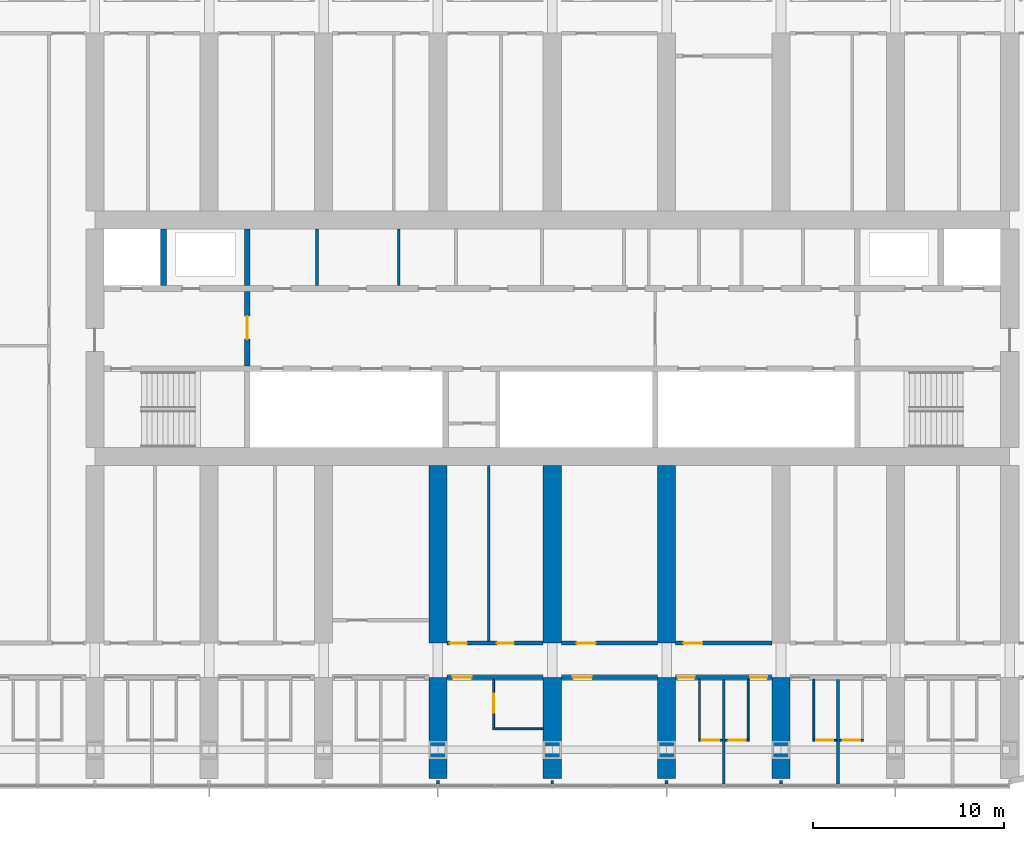
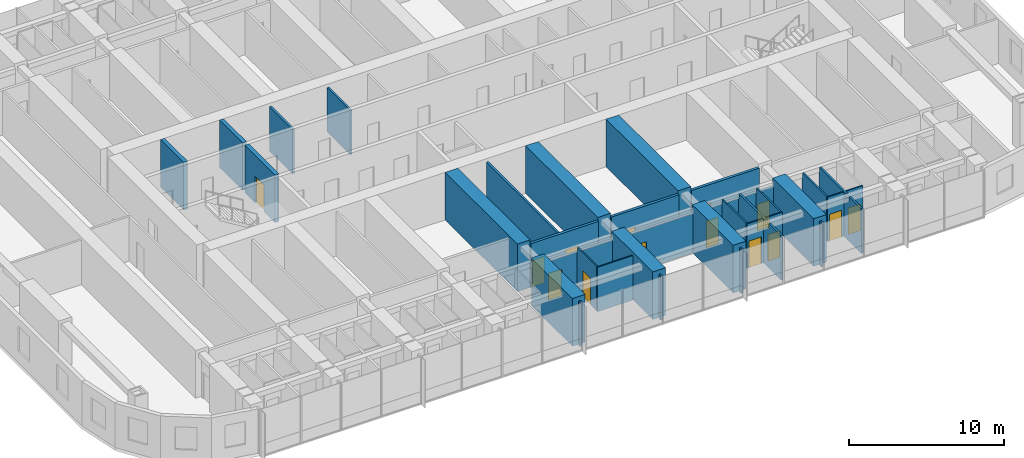
# One storey, part 10 of 22: 34 walls, 14 doors, 14 openings.
"""IFC4 building model written with IfcOpenShell, lengths in metres."""

from ifc_helpers import new_model, si_unit, direction, frame, frame_2d, origin, place, context, subcontext, project, spatial, polyline, rectangle, outline, extrude, material, layer, layer_set, type_object, element, fill, save


model = new_model("IFC4")

# Units and contexts
model_context = context("Model", 3, precision=1e-05, world=origin(), true_north=direction((0.0, 1.0)))
body_context = subcontext(model_context, "Body", "Model", "MODEL_VIEW")
ifc_project = project(units=[si_unit("LENGTHUNIT", "METRE"), si_unit("AREAUNIT", "SQUARE_METRE"), si_unit("VOLUMEUNIT", "CUBIC_METRE"), si_unit("PLANEANGLEUNIT", "RADIAN"), si_unit("MASSUNIT", "GRAM", prefix="KILO")], contexts=[model_context])

# Site, building, storey
site_placement = place(None, origin())
site = spatial("IfcSite", under=ifc_project, at=site_placement, CompositionType="ELEMENT")
building_placement = place(site_placement, origin())
building = spatial("IfcBuilding", under=site, at=building_placement, Name="Orbita Commons", CompositionType="ELEMENT")
storey_placement = place(building_placement, frame((0.0, 0.0, 121.89990234375)))
storey = spatial("IfcBuildingStorey", under=building, at=storey_placement, Name="L30", CompositionType="ELEMENT", Elevation=121.89990234375)

# Wall, opening, door
ifc_material_1 = material(Name="Concrete C50/60", Category="concrete")
ifc_layer_1 = layer(ifc_material_1, 0.300048828125)
ifc_layer_set_1 = layer_set([ifc_layer_1], Name="Concrete C50/60")
wall_type_1 = type_object("IfcWallType", Name="Core inner wall 300 C50/60", PredefinedType="SHEAR", material=ifc_layer_set_1)
wall_1_placement = place(storey_placement, frame((26.0, 30.550048828125, 0.0), z_axis=(0.0, 0.0, 1.0), x_axis=(0.0, 1.0, 0.0)))
wall_1 = element("IfcWall", 1, at=wall_1_placement, inside=storey, type_object=wall_type_1, Name="Firefighting lobby wall west L30", PredefinedType="SHEAR", context=body_context, shape_type="SweptSolid", body=[
    extrude(rectangle(XDim=3.89990234375, YDim=0.300048828125, at=frame_2d((1.949951171875, 0.0))), origin(), (0.0, 0.0, 1.0), 3.75),
])
opening_1_placement = place(wall_1_placement, frame((1.39990234375, 0.0, 0.0)))
opening_1 = element("IfcOpeningElement", 2, at=opening_1_placement, cuts=wall_1, Name="Opening D04", PredefinedType="OPENING", context=body_context, shape_type="SweptSolid", body=[
    extrude(rectangle(XDim=1.199951171875, YDim=2.10009765625, at=frame_2d((0.60009765625, 1.050048828125))), frame((0.0, 0.159912109375, 0.0), z_axis=(0.0, -1.0, 0.0), x_axis=(1.0, 0.0, 0.0)), (0.0, 0.0, 1.0), 0.320068359375),
])
ifc_material_2 = material(Name="Steel-faced fire door leaf", Category="steel")
door_type_1 = type_object("IfcDoorType", Name="Service door 20 min 1200x2100", OperationType="SINGLE_SWING_LEFT", PredefinedType="DOOR", material=ifc_material_2)
door_1_placement = place(opening_1_placement, origin())
door_1 = element("IfcDoor", 3, at=door_1_placement, inside=storey, type_object=door_type_1, Name="Lift lobby door west", OperationType="SINGLE_SWING_LEFT", OverallHeight=2.10009765625, OverallWidth=1.199951171875, PredefinedType="DOOR", context=body_context, shape_type="SweptSolid", body=[
    extrude(rectangle(XDim=1.199951171875, YDim=2.10009765625, at=frame_2d((0.60009765625, 1.050048828125))), frame((0.0, 0.02490234375, 0.0), z_axis=(0.0, -1.0, 0.0), x_axis=(1.0, 0.0, 0.0)), (0.0, 0.0, 1.0), 0.050048828125),
])
fill(opening_1, door_1)

# Walls
for number, where, z_axis, x_axis, name in (
    (4, (21.60009765625, 34.75, 0.0), (0.0, 0.0, 1.0), (0.0, 1.0, 0.0), "Firefighting lift FL1 shaft wall L30"),
    (5, (26.0, 34.75, 0.0), (0.0, 0.0, 1.0), (0.0, 1.0, 0.0), "Riser wall west L30"),
):
    element("IfcWall", number, at=place(storey_placement, frame(where, z_axis=z_axis, x_axis=x_axis)), inside=storey, type_object=wall_type_1, Name=name, PredefinedType="SHEAR", context=body_context, shape_type="SweptSolid", body=[
        extrude(rectangle(XDim=2.97509765625, YDim=0.300048828125, at=frame_2d((1.487548828125, 0.0))), origin(), (0.0, 0.0, 1.0), 3.75),
    ])
ifc_material_3 = material(Name="Concrete blockwork", Category="masonry")
ifc_layer_2 = layer(ifc_material_3, 0.14990234375)
ifc_layer_set_2 = layer_set([ifc_layer_2], Name="Concrete blockwork")
wall_type_2 = type_object("IfcWallType", Name="Core partition 150 blockwork", PredefinedType="SOLIDWALL", material=ifc_layer_set_2)
for number, where, z_axis, x_axis, name in (
    (6, (29.65087890625, 34.75, 0.0), (0.0, 0.0, 1.0), (0.0, 1.0, 0.0), "Core partition 150 blockwork L30"),
    (7, (33.9462890625, 34.75, 0.0), (0.0, 0.0, 1.0), (0.0, 1.0, 0.0), "Core partition 150 blockwork L30"),
):
    element("IfcWall", number, at=place(storey_placement, frame(where, z_axis=z_axis, x_axis=x_axis)), inside=storey, type_object=wall_type_2, Name=name, PredefinedType="SOLIDWALL", context=body_context, shape_type="SweptSolid", body=[
        extrude(rectangle(XDim=2.97509765625, YDim=0.14990234375, at=frame_2d((1.487548828125, 0.0))), origin(), (0.0, 0.0, 1.0), 3.5),
    ])

# Wall, opening, door
ifc_material_4 = material(Name="Concrete blockwork", Category="masonry")
ifc_layer_3 = layer(ifc_material_4, 0.199951171875)
ifc_layer_set_3 = layer_set([ifc_layer_3], Name="Concrete blockwork")
wall_type_3 = type_object("IfcWallType", Name="Corridor wall 200 blockwork", PredefinedType="SOLIDWALL", material=ifc_layer_set_3)
wall_2_placement = place(storey_placement, frame((36.47509765625, 14.199951171875, 0.0), z_axis=(0.0, 0.0, 1.0), x_axis=(1.0, 0.0, 0.0)))
wall_2 = element("IfcWall", 8, at=wall_2_placement, inside=storey, type_object=wall_type_3, Name="Corridor wall 200 blockwork L30", PredefinedType="SOLIDWALL", context=body_context, shape_type="SweptSolid", body=[
    extrude(outline(polyline([(0.0, 0.0), (5.0498046875, 0.0), (5.050048828125, 3.10009765625), (0.0, 3.10009765625), (0.0, 0.0)])), frame((0.0, 0.10009765625, 0.0), z_axis=(0.0, -1.0, 0.0), x_axis=(1.0, 0.0, 0.0)), (0.0, 0.0, 1.0), 0.199951171875),
])
opening_2_placement = place(wall_2_placement, frame((0.300048828125, 0.0, 0.0)))
opening_2 = element("IfcOpeningElement", 9, at=opening_2_placement, cuts=wall_2, Name="Opening D06", PredefinedType="OPENING", context=body_context, shape_type="SweptSolid", body=[
    extrude(rectangle(XDim=1.0, YDim=2.10009765625, at=frame_2d((0.5, 1.050048828125))), frame((0.0, 0.10986328125, 0.0), z_axis=(0.0, -1.0, 0.0), x_axis=(1.0, 0.0, 0.0)), (0.0, 0.0, 1.0), 0.219970703125),
])
ifc_material_5 = material(Name="Steel-faced fire door leaf", Category="steel")
door_type_2 = type_object("IfcDoorType", Name="Corridor door 20 min 1000x2100", OperationType="SINGLE_SWING_LEFT", PredefinedType="DOOR", material=ifc_material_5)
door_2_placement = place(opening_2_placement, origin())
door_2 = element("IfcDoor", 10, at=door_2_placement, inside=storey, type_object=door_type_2, Name="Accessible bedroom L30-S08 door", OperationType="SINGLE_SWING_LEFT", OverallHeight=2.10009765625, OverallWidth=1.0, PredefinedType="DOOR", context=body_context, shape_type="SweptSolid", body=[
    extrude(rectangle(XDim=1.0, YDim=2.10009765625, at=frame_2d((0.5, 1.050048828125))), frame((0.0, 0.02490234375, 0.0), z_axis=(0.0, -1.0, 0.0), x_axis=(1.0, 0.0, 0.0)), (0.0, 0.0, 1.0), 0.050048828125),
])
fill(opening_2, door_2)

wall_3_placement = place(storey_placement, frame((42.47509765625, 14.199951171875, 0.0), z_axis=(0.0, 0.0, 1.0), x_axis=(1.0, 0.0, 0.0)))
wall_3 = element("IfcWall", 11, at=wall_3_placement, inside=storey, type_object=wall_type_3, Name="Corridor wall 200 blockwork L30", PredefinedType="SOLIDWALL", context=body_context, shape_type="SweptSolid", body=[
    extrude(outline(polyline([(0.0, 0.0), (5.0498046875, 0.0), (5.050048828125, 3.10009765625), (0.0, 3.10009765625), (0.0, 0.0)])), frame((0.0, 0.10009765625, 0.0), z_axis=(0.0, -1.0, 0.0), x_axis=(1.0, 0.0, 0.0)), (0.0, 0.0, 1.0), 0.199951171875),
])
opening_3_placement = place(wall_3_placement, frame((0.60009765625, 0.0, 0.0)))
opening_3 = element("IfcOpeningElement", 12, at=opening_3_placement, cuts=wall_3, Name="Opening D06", PredefinedType="OPENING", context=body_context, shape_type="SweptSolid", body=[
    extrude(rectangle(XDim=1.0, YDim=2.10009765625, at=frame_2d((0.5, 1.050048828125))), frame((0.0, 0.10986328125, 0.0), z_axis=(0.0, -1.0, 0.0), x_axis=(1.0, 0.0, 0.0)), (0.0, 0.0, 1.0), 0.219970703125),
])
door_3_placement = place(opening_3_placement, origin())
door_3 = element("IfcDoor", 13, at=door_3_placement, inside=storey, type_object=door_type_2, Name="Cluster kitchen-diner L30-S10 door", OperationType="SINGLE_SWING_LEFT", OverallHeight=2.10009765625, OverallWidth=1.0, PredefinedType="DOOR", context=body_context, shape_type="SweptSolid", body=[
    extrude(rectangle(XDim=1.0, YDim=2.10009765625, at=frame_2d((0.5, 1.050048828125))), frame((0.0, 0.02490234375, 0.0), z_axis=(0.0, -1.0, 0.0), x_axis=(1.0, 0.0, 0.0)), (0.0, 0.0, 1.0), 0.050048828125),
])
fill(opening_3, door_3)

# Wall, openings, doors
wall_4_placement = place(storey_placement, frame((48.47509765625, 14.199951171875, 0.0), z_axis=(0.0, 0.0, 1.0), x_axis=(1.0, 0.0, 0.0)))
wall_4 = element("IfcWall", 14, at=wall_4_placement, inside=storey, type_object=wall_type_3, Name="Corridor wall 200 blockwork L30", PredefinedType="SOLIDWALL", context=body_context, shape_type="SweptSolid", body=[
    extrude(outline(polyline([(0.0, 0.0), (5.0498046875, 0.0), (5.050048828125, 3.10009765625), (0.0, 3.10009765625), (0.0, 0.0)])), frame((0.0, 0.10009765625, 0.0), z_axis=(0.0, -1.0, 0.0), x_axis=(1.0, 0.0, 0.0)), (0.0, 0.0, 1.0), 0.199951171875),
])
opening_4_placement = place(wall_4_placement, frame((0.10009765625, 0.0, 0.0)))
opening_4 = element("IfcOpeningElement", 15, at=opening_4_placement, cuts=wall_4, Name="Opening D11", PredefinedType="OPENING", context=body_context, shape_type="SweptSolid", body=[
    extrude(rectangle(XDim=0.89990234375, YDim=2.10009765625, at=frame_2d((0.449951171875, 1.050048828125))), frame((0.0, 0.10986328125, 0.0), z_axis=(0.0, -1.0, 0.0), x_axis=(1.0, 0.0, 0.0)), (0.0, 0.0, 1.0), 0.219970703125),
])
opening_5_placement = place(wall_4_placement, frame((3.89990234375, 0.0, 0.0)))
opening_5 = element("IfcOpeningElement", 16, at=opening_5_placement, cuts=wall_4, Name="Opening D11", PredefinedType="OPENING", context=body_context, shape_type="SweptSolid", body=[
    extrude(rectangle(XDim=0.89990234375, YDim=2.10009765625, at=frame_2d((0.449951171875, 1.050048828125))), frame((0.0, 0.10986328125, 0.0), z_axis=(0.0, -1.0, 0.0), x_axis=(1.0, 0.0, 0.0)), (0.0, 0.0, 1.0), 0.219970703125),
])
ifc_material_6 = material(Name="Steel-faced fire door leaf", Category="steel")
door_type_3 = type_object("IfcDoorType", Name="Corridor door 20 min 900x2100", OperationType="SINGLE_SWING_LEFT", PredefinedType="DOOR", material=ifc_material_6)
door_4_placement = place(opening_4_placement, origin())
door_4 = element("IfcDoor", 17, at=door_4_placement, inside=storey, type_object=door_type_3, Name="Cluster bedroom L30-S12 door", OperationType="SINGLE_SWING_LEFT", OverallHeight=2.10009765625, OverallWidth=0.89990234375, PredefinedType="DOOR", context=body_context, shape_type="SweptSolid", body=[
    extrude(rectangle(XDim=0.89990234375, YDim=2.10009765625, at=frame_2d((0.449951171875, 1.050048828125))), frame((0.0, 0.02490234375, 0.0), z_axis=(0.0, -1.0, 0.0), x_axis=(1.0, 0.0, 0.0)), (0.0, 0.0, 1.0), 0.050048828125),
])
fill(opening_4, door_4)
door_5_placement = place(opening_5_placement, origin())
door_5 = element("IfcDoor", 18, at=door_5_placement, inside=storey, type_object=door_type_3, Name="Cluster bedroom L30-S13 door", OperationType="SINGLE_SWING_LEFT", OverallHeight=2.10009765625, OverallWidth=0.89990234375, PredefinedType="DOOR", context=body_context, shape_type="SweptSolid", body=[
    extrude(rectangle(XDim=0.89990234375, YDim=2.10009765625, at=frame_2d((0.449951171875, 1.050048828125))), frame((0.0, 0.02490234375, 0.0), z_axis=(0.0, -1.0, 0.0), x_axis=(1.0, 0.0, 0.0)), (0.0, 0.0, 1.0), 0.050048828125),
])
fill(opening_5, door_5)

ifc_material_7 = material(Name="Hollow concrete block 200", Category="concrete")
ifc_layer_4 = layer(ifc_material_7, 0.199951171875)
ifc_layer_set_4 = layer_set([ifc_layer_4], Name="Hollow concrete block 200")
wall_type_4 = type_object("IfcWallType", Name="Corridor wall 200 hollow concrete block", PredefinedType="SOLIDWALL", material=ifc_layer_set_4)
wall_5_placement = place(storey_placement, frame((36.47509765625, 16.0, 0.0), z_axis=(0.0, 0.0, 1.0), x_axis=(1.0, 0.0, 0.0)))
wall_5 = element("IfcWall", 19, at=wall_5_placement, inside=storey, type_object=wall_type_4, Name="Corridor wall 200 hollow concrete block L30", PredefinedType="SOLIDWALL", context=body_context, shape_type="SweptSolid", body=[
    extrude(rectangle(XDim=5.0498046875, YDim=0.199951171875, at=frame_2d((2.52490234375, 0.0))), origin(), (0.0, 0.0, 1.0), 3.5),
])
opening_6_placement = place(wall_5_placement, frame((0.14990234375, 0.0, 0.0)))
opening_6 = element("IfcOpeningElement", 20, at=opening_6_placement, cuts=wall_5, Name="Opening D11", PredefinedType="OPENING", context=body_context, shape_type="SweptSolid", body=[
    extrude(rectangle(XDim=0.89990234375, YDim=2.10009765625, at=frame_2d((0.449951171875, 1.050048828125))), frame((0.0, 0.10986328125, 0.0), z_axis=(0.0, -1.0, 0.0), x_axis=(1.0, 0.0, 0.0)), (0.0, 0.0, 1.0), 0.219970703125),
])
opening_7_placement = place(wall_5_placement, frame((2.614990234375, 0.0, 0.0)))
opening_7 = element("IfcOpeningElement", 21, at=opening_7_placement, cuts=wall_5, Name="Opening D11", PredefinedType="OPENING", context=body_context, shape_type="SweptSolid", body=[
    extrude(rectangle(XDim=0.89990234375, YDim=2.10009765625, at=frame_2d((0.449951171875, 1.050048828125))), frame((0.0, 0.10986328125, 0.0), z_axis=(0.0, -1.0, 0.0), x_axis=(1.0, 0.0, 0.0)), (0.0, 0.0, 1.0), 0.219970703125),
])
door_6_placement = place(opening_6_placement, origin())
door_6 = element("IfcDoor", 22, at=door_6_placement, inside=storey, type_object=door_type_3, Name="Battery and UPS room L30-BDS36n door", OperationType="SINGLE_SWING_LEFT", OverallHeight=2.10009765625, OverallWidth=0.89990234375, PredefinedType="DOOR", context=body_context, shape_type="SweptSolid", body=[
    extrude(rectangle(XDim=0.89990234375, YDim=2.10009765625, at=frame_2d((0.449951171875, 1.050048828125))), frame((0.0, 0.02490234375, 0.0), z_axis=(0.0, -1.0, 0.0), x_axis=(1.0, 0.0, 0.0)), (0.0, 0.0, 1.0), 0.050048828125),
])
fill(opening_6, door_6)
door_7_placement = place(opening_7_placement, origin())
door_7 = element("IfcDoor", 23, at=door_7_placement, inside=storey, type_object=door_type_3, Name="Bicycle repair workshop L30-BDS36 door", OperationType="SINGLE_SWING_LEFT", OverallHeight=2.10009765625, OverallWidth=0.89990234375, PredefinedType="DOOR", context=body_context, shape_type="SweptSolid", body=[
    extrude(rectangle(XDim=0.89990234375, YDim=2.10009765625, at=frame_2d((0.449951171875, 1.050048828125))), frame((0.0, 0.02490234375, 0.0), z_axis=(0.0, -1.0, 0.0), x_axis=(1.0, 0.0, 0.0)), (0.0, 0.0, 1.0), 0.050048828125),
])
fill(opening_7, door_7)

# Wall, opening, door
wall_6_placement = place(storey_placement, frame((42.47509765625, 16.0, 0.0), z_axis=(0.0, 0.0, 1.0), x_axis=(1.0, 0.0, 0.0)))
wall_6 = element("IfcWall", 24, at=wall_6_placement, inside=storey, type_object=wall_type_4, Name="Corridor wall 200 hollow concrete block L30", PredefinedType="SOLIDWALL", context=body_context, shape_type="SweptSolid", body=[
    extrude(rectangle(XDim=5.0498046875, YDim=0.199951171875, at=frame_2d((2.52490234375, 0.0))), origin(), (0.0, 0.0, 1.0), 3.5),
])
opening_8_placement = place(wall_6_placement, frame((0.800048828125, 0.0, 0.0)))
opening_8 = element("IfcOpeningElement", 25, at=opening_8_placement, cuts=wall_6, Name="Opening D06", PredefinedType="OPENING", context=body_context, shape_type="SweptSolid", body=[
    extrude(rectangle(XDim=1.0, YDim=2.10009765625, at=frame_2d((0.5, 1.050048828125))), frame((0.0, 0.10986328125, 0.0), z_axis=(0.0, -1.0, 0.0), x_axis=(1.0, 0.0, 0.0)), (0.0, 0.0, 1.0), 0.219970703125),
])
door_8_placement = place(opening_8_placement, origin())
door_8 = element("IfcDoor", 26, at=door_8_placement, inside=storey, type_object=door_type_2, Name="Bulk and luggage store L30-BDS42 door", OperationType="SINGLE_SWING_LEFT", OverallHeight=2.10009765625, OverallWidth=1.0, PredefinedType="DOOR", context=body_context, shape_type="SweptSolid", body=[
    extrude(rectangle(XDim=1.0, YDim=2.10009765625, at=frame_2d((0.5, 1.050048828125))), frame((0.0, 0.02490234375, 0.0), z_axis=(0.0, -1.0, 0.0), x_axis=(1.0, 0.0, 0.0)), (0.0, 0.0, 1.0), 0.050048828125),
])
fill(opening_8, door_8)

wall_7_placement = place(storey_placement, frame((48.47509765625, 16.0, 0.0), z_axis=(0.0, 0.0, 1.0), x_axis=(1.0, 0.0, 0.0)))
wall_7 = element("IfcWall", 27, at=wall_7_placement, inside=storey, type_object=wall_type_4, Name="Corridor wall 200 hollow concrete block L30", PredefinedType="SOLIDWALL", context=body_context, shape_type="SweptSolid", body=[
    extrude(rectangle(XDim=5.0498046875, YDim=0.199951171875, at=frame_2d((2.52490234375, 0.0))), origin(), (0.0, 0.0, 1.0), 3.5),
])
opening_9_placement = place(wall_7_placement, frame((0.39990234375, 0.0, 0.0)))
opening_9 = element("IfcOpeningElement", 28, at=opening_9_placement, cuts=wall_7, Name="Opening D06", PredefinedType="OPENING", context=body_context, shape_type="SweptSolid", body=[
    extrude(rectangle(XDim=1.0, YDim=2.10009765625, at=frame_2d((0.5, 1.050048828125))), frame((0.0, 0.10986328125, 0.0), z_axis=(0.0, -1.0, 0.0), x_axis=(1.0, 0.0, 0.0)), (0.0, 0.0, 1.0), 0.219970703125),
])
door_9_placement = place(opening_9_placement, origin())
door_9 = element("IfcDoor", 29, at=door_9_placement, inside=storey, type_object=door_type_2, Name="Cleaners store L30-BDS48 door", OperationType="SINGLE_SWING_LEFT", OverallHeight=2.10009765625, OverallWidth=1.0, PredefinedType="DOOR", context=body_context, shape_type="SweptSolid", body=[
    extrude(rectangle(XDim=1.0, YDim=2.10009765625, at=frame_2d((0.5, 1.050048828125))), frame((0.0, 0.02490234375, 0.0), z_axis=(0.0, -1.0, 0.0), x_axis=(1.0, 0.0, 0.0)), (0.0, 0.0, 1.0), 0.050048828125),
])
fill(opening_9, door_9)

# Walls
ifc_material_8 = material(Name="Concrete C50/60", Category="concrete")
ifc_layer_5 = layer(ifc_material_8, 0.949951171875)
ifc_layer_set_5 = layer_set([ifc_layer_5], Name="Concrete C50/60")
wall_type_5 = type_object("IfcWallType", Name="Cross wall 950 C50/60", PredefinedType="SHEAR", material=ifc_layer_set_5)
wall_8_placement = place(storey_placement, frame((36.0, 8.89990234375, 0.0), z_axis=(0.0, 0.0, 1.0), x_axis=(0.0, 1.0, 0.0)))
element("IfcWall", 30, at=wall_8_placement, inside=storey, type_object=wall_type_5, Name="Cross wall 7 south outer L30", PredefinedType="SHEAR", context=body_context, shape_type="SweptSolid", body=[
    extrude(rectangle(XDim=5.300048828125, YDim=0.949951171875, at=frame_2d((2.64990234375, 0.0))), origin(), (0.0, 0.0, 1.0), 3.75),
])
wall_9_placement = place(storey_placement, frame((36.0, 16.0, 0.0), z_axis=(0.0, 0.0, 1.0), x_axis=(0.0, 1.0, 0.0)))
element("IfcWall", 31, at=wall_9_placement, inside=storey, type_object=wall_type_5, Name="Cross wall 7 south inner L30", PredefinedType="SHEAR", context=body_context, shape_type="SweptSolid", body=[
    extrude(rectangle(XDim=9.324951171875, YDim=0.949951171875, at=frame_2d((4.66259765625, 0.0))), origin(), (0.0, 0.0, 1.0), 3.75),
])
wall_10_placement = place(storey_placement, frame((42.0, 8.89990234375, 0.0), z_axis=(0.0, 0.0, 1.0), x_axis=(0.0, 1.0, 0.0)))
element("IfcWall", 32, at=wall_10_placement, inside=storey, type_object=wall_type_5, Name="Cross wall 8 south outer L30", PredefinedType="SHEAR", context=body_context, shape_type="SweptSolid", body=[
    extrude(rectangle(XDim=5.300048828125, YDim=0.949951171875, at=frame_2d((2.64990234375, 0.0))), origin(), (0.0, 0.0, 1.0), 3.75),
])
wall_11_placement = place(storey_placement, frame((42.0, 16.0, 0.0), z_axis=(0.0, 0.0, 1.0), x_axis=(0.0, 1.0, 0.0)))
element("IfcWall", 33, at=wall_11_placement, inside=storey, type_object=wall_type_5, Name="Cross wall 8 south inner L30", PredefinedType="SHEAR", context=body_context, shape_type="SweptSolid", body=[
    extrude(rectangle(XDim=9.324951171875, YDim=0.949951171875, at=frame_2d((4.66259765625, 0.0))), origin(), (0.0, 0.0, 1.0), 3.75),
])
wall_12_placement = place(storey_placement, frame((48.0, 8.89990234375, 0.0), z_axis=(0.0, 0.0, 1.0), x_axis=(0.0, 1.0, 0.0)))
element("IfcWall", 34, at=wall_12_placement, inside=storey, type_object=wall_type_5, Name="Cross wall 9 south outer L30", PredefinedType="SHEAR", context=body_context, shape_type="SweptSolid", body=[
    extrude(rectangle(XDim=5.300048828125, YDim=0.949951171875, at=frame_2d((2.64990234375, 0.0))), origin(), (0.0, 0.0, 1.0), 3.75),
])
wall_13_placement = place(storey_placement, frame((48.0, 16.0, 0.0), z_axis=(0.0, 0.0, 1.0), x_axis=(0.0, 1.0, 0.0)))
element("IfcWall", 35, at=wall_13_placement, inside=storey, type_object=wall_type_5, Name="Cross wall 9 south inner L30", PredefinedType="SHEAR", context=body_context, shape_type="SweptSolid", body=[
    extrude(rectangle(XDim=9.324951171875, YDim=0.949951171875, at=frame_2d((4.66259765625, 0.0))), origin(), (0.0, 0.0, 1.0), 3.75),
])
wall_14_placement = place(storey_placement, frame((54.0, 8.89990234375, 0.0), z_axis=(0.0, 0.0, 1.0), x_axis=(0.0, 1.0, 0.0)))
element("IfcWall", 36, at=wall_14_placement, inside=storey, type_object=wall_type_5, Name="Cross wall 10 south outer L30", PredefinedType="SHEAR", context=body_context, shape_type="SweptSolid", body=[
    extrude(rectangle(XDim=5.300048828125, YDim=0.949951171875, at=frame_2d((2.64990234375, 0.0))), origin(), (0.0, 0.0, 1.0), 3.75),
])
ifc_material_9 = material(Name="Moisture-resistant plasterboard on steel studs", Category="steel")
ifc_layer_6 = layer(ifc_material_9, 0.10009765625)
ifc_layer_set_6 = layer_set([ifc_layer_6], Name="Moisture-resistant plasterboard on steel studs")
wall_type_6 = type_object("IfcWallType", Name="En-suite partition 100", PredefinedType="PARTITIONING", material=ifc_layer_set_6)
wall_15_placement = place(storey_placement, frame((38.875, 11.5, 0.0), z_axis=(0.0, 0.0, 1.0), x_axis=(1.0, 0.0, 0.0)))
element("IfcWall", 37, at=wall_15_placement, inside=storey, type_object=wall_type_6, Name="En-suite partition 100 L30", PredefinedType="PARTITIONING", context=body_context, shape_type="SweptSolid", body=[
    extrude(rectangle(XDim=2.64990234375, YDim=0.10009765625, at=frame_2d((1.324951171875, 0.0))), origin(), (0.0, 0.0, 1.0), 3.5),
])

# Wall, opening, door
wall_16_placement = place(storey_placement, frame((38.925048828125, 11.550048828125, 0.0), z_axis=(0.0, 0.0, 1.0), x_axis=(0.0, 1.0, 0.0)))
wall_16 = element("IfcWall", 38, at=wall_16_placement, inside=storey, type_object=wall_type_6, Name="En-suite partition 100 L30", PredefinedType="PARTITIONING", context=body_context, shape_type="SweptSolid", body=[
    extrude(outline(polyline([(0.0, 0.0), (2.550048828125, 0.0), (2.550048828125, 3.10009765625), (2.501953125, 3.10009765625), (2.5, 3.5), (0.0, 3.5), (0.0, 0.0)])), frame((0.0, 0.050048828125, 0.0), z_axis=(0.0, -1.0, 0.0), x_axis=(1.0, 0.0, 0.0)), (0.0, 0.0, 1.0), 0.10009765625),
])
opening_10_placement = place(wall_16_placement, frame((0.800048828125, 0.0, 0.0)))
opening_10 = element("IfcOpeningElement", 39, at=opening_10_placement, cuts=wall_16, Name="Opening D13", PredefinedType="OPENING", context=body_context, shape_type="SweptSolid", body=[
    extrude(rectangle(XDim=1.0, YDim=2.10009765625, at=frame_2d((0.5, 1.050048828125))), frame((0.0, 0.06005859375, 0.0), z_axis=(0.0, -1.0, 0.0), x_axis=(1.0, 0.0, 0.0)), (0.0, 0.0, 1.0), 0.1201171875),
])
ifc_material_10 = material(Name="Laminated timber door leaf", Category="wood")
door_type_4 = type_object("IfcDoorType", Name="En-suite door 1000x2100", OperationType="SINGLE_SWING_RIGHT", PredefinedType="DOOR", material=ifc_material_10)
door_10_placement = place(opening_10_placement, origin())
door_10 = element("IfcDoor", 40, at=door_10_placement, inside=storey, type_object=door_type_4, Name="Accessible shower room L30-S08 door", OperationType="SINGLE_SWING_RIGHT", OverallHeight=2.10009765625, OverallWidth=1.0, PredefinedType="DOOR", context=body_context, shape_type="SweptSolid", body=[
    extrude(rectangle(XDim=1.0, YDim=2.10009765625, at=frame_2d((0.5, 1.050048828125))), frame((0.0, 0.02490234375, 0.0), z_axis=(0.0, -1.0, 0.0), x_axis=(1.0, 0.0, 0.0)), (0.0, 0.0, 1.0), 0.050048828125),
])
fill(opening_10, door_10)

wall_17_placement = place(storey_placement, frame((50.925048828125, 10.89990234375, 0.0), z_axis=(0.0, 0.0, 1.0), x_axis=(-1.0, 0.0, 0.0)))
wall_17 = element("IfcWall", 41, at=wall_17_placement, inside=storey, type_object=wall_type_6, Name="En-suite partition 100 L30", PredefinedType="PARTITIONING", context=body_context, shape_type="SweptSolid", body=[
    extrude(rectangle(XDim=1.25, YDim=0.10009765625, at=frame_2d((0.625, 0.0))), origin(), (0.0, 0.0, 1.0), 3.5),
])
opening_11_placement = place(wall_17_placement, frame((0.175048828125, 0.0, 0.0)))
opening_11 = element("IfcOpeningElement", 42, at=opening_11_placement, cuts=wall_17, Name="Opening D09", PredefinedType="OPENING", context=body_context, shape_type="SweptSolid", body=[
    extrude(rectangle(XDim=0.89990234375, YDim=2.10009765625, at=frame_2d((0.449951171875, 1.050048828125))), frame((0.0, 0.06005859375, 0.0), z_axis=(0.0, -1.0, 0.0), x_axis=(1.0, 0.0, 0.0)), (0.0, 0.0, 1.0), 0.1201171875),
])
ifc_material_11 = material(Name="Laminated timber door leaf", Category="wood")
door_type_5 = type_object("IfcDoorType", Name="En-suite door 900x2100", OperationType="SINGLE_SWING_RIGHT", PredefinedType="DOOR", material=ifc_material_11)
door_11_placement = place(opening_11_placement, origin())
door_11 = element("IfcDoor", 43, at=door_11_placement, inside=storey, type_object=door_type_5, Name="En-suite L30-S12 door", OperationType="SINGLE_SWING_RIGHT", OverallHeight=2.10009765625, OverallWidth=0.89990234375, PredefinedType="DOOR", context=body_context, shape_type="SweptSolid", body=[
    extrude(rectangle(XDim=0.89990234375, YDim=2.10009765625, at=frame_2d((0.449951171875, 1.050048828125))), frame((0.0, 0.02490234375, 0.0), z_axis=(0.0, -1.0, 0.0), x_axis=(1.0, 0.0, 0.0)), (0.0, 0.0, 1.0), 0.050048828125),
])
fill(opening_11, door_11)

# Wall
wall_18_placement = place(storey_placement, frame((49.72509765625, 10.949951171875, 0.0), z_axis=(0.0, 0.0, 1.0), x_axis=(0.0, 1.0, 0.0)))
element("IfcWall", 44, at=wall_18_placement, inside=storey, type_object=wall_type_6, Name="En-suite partition 100 L30", PredefinedType="PARTITIONING", context=body_context, shape_type="SweptSolid", body=[
    extrude(outline(polyline([(0.0, 0.0), (3.150146484375, 0.0), (3.14990234375, 3.10009765625), (3.10205078125, 3.10009765625), (3.10009765625, 3.5), (0.0, 3.5), (0.0, 0.0)])), frame((0.0, 0.050048828125, 0.0), z_axis=(0.0, -1.0, 0.0), x_axis=(1.0, 0.0, 0.0)), (0.0, 0.0, 1.0), 0.10009765625),
])

# Wall, opening, door
wall_19_placement = place(storey_placement, frame((52.324951171875, 10.89990234375, 0.0), z_axis=(0.0, 0.0, 1.0), x_axis=(-1.0, 0.0, 0.0)))
wall_19 = element("IfcWall", 45, at=wall_19_placement, inside=storey, type_object=wall_type_6, Name="En-suite partition 100 L30", PredefinedType="PARTITIONING", context=body_context, shape_type="SweptSolid", body=[
    extrude(rectangle(XDim=1.25, YDim=0.10009765625, at=frame_2d((0.625, 0.0))), origin(), (0.0, 0.0, 1.0), 3.5),
])
opening_12_placement = place(wall_19_placement, frame((0.175048828125, 0.0, 0.0)))
opening_12 = element("IfcOpeningElement", 46, at=opening_12_placement, cuts=wall_19, Name="Opening D09", PredefinedType="OPENING", context=body_context, shape_type="SweptSolid", body=[
    extrude(rectangle(XDim=0.89990234375, YDim=2.10009765625, at=frame_2d((0.449951171875, 1.050048828125))), frame((0.0, 0.06005859375, 0.0), z_axis=(0.0, -1.0, 0.0), x_axis=(1.0, 0.0, 0.0)), (0.0, 0.0, 1.0), 0.1201171875),
])
door_12_placement = place(opening_12_placement, origin())
door_12 = element("IfcDoor", 47, at=door_12_placement, inside=storey, type_object=door_type_5, Name="En-suite L30-S13 door", OperationType="SINGLE_SWING_RIGHT", OverallHeight=2.10009765625, OverallWidth=0.89990234375, PredefinedType="DOOR", context=body_context, shape_type="SweptSolid", body=[
    extrude(rectangle(XDim=0.89990234375, YDim=2.10009765625, at=frame_2d((0.449951171875, 1.050048828125))), frame((0.0, 0.02490234375, 0.0), z_axis=(0.0, -1.0, 0.0), x_axis=(1.0, 0.0, 0.0)), (0.0, 0.0, 1.0), 0.050048828125),
])
fill(opening_12, door_12)

# Wall
wall_20_placement = place(storey_placement, frame((52.27490234375, 10.949951171875, 0.0), z_axis=(0.0, 0.0, 1.0), x_axis=(0.0, 1.0, 0.0)))
element("IfcWall", 48, at=wall_20_placement, inside=storey, type_object=wall_type_6, Name="En-suite partition 100 L30", PredefinedType="PARTITIONING", context=body_context, shape_type="SweptSolid", body=[
    extrude(outline(polyline([(0.0, 0.0), (3.150146484375, 0.0), (3.14990234375, 3.10009765625), (3.10205078125, 3.10009765625), (3.10009765625, 3.5), (0.0, 3.5), (0.0, 0.0)])), frame((0.0, 0.050048828125, 0.0), z_axis=(0.0, -1.0, 0.0), x_axis=(1.0, 0.0, 0.0)), (0.0, 0.0, 1.0), 0.10009765625),
])

# Wall, opening, door
wall_21_placement = place(storey_placement, frame((56.925048828125, 10.89990234375, 0.0), z_axis=(0.0, 0.0, 1.0), x_axis=(-1.0, 0.0, 0.0)))
wall_21 = element("IfcWall", 49, at=wall_21_placement, inside=storey, type_object=wall_type_6, Name="En-suite partition 100 L30", PredefinedType="PARTITIONING", context=body_context, shape_type="SweptSolid", body=[
    extrude(rectangle(XDim=1.25, YDim=0.10009765625, at=frame_2d((0.625, 0.0))), origin(), (0.0, 0.0, 1.0), 3.5),
])
opening_13_placement = place(wall_21_placement, frame((0.175048828125, 0.0, 0.0)))
opening_13 = element("IfcOpeningElement", 50, at=opening_13_placement, cuts=wall_21, Name="Opening D09", PredefinedType="OPENING", context=body_context, shape_type="SweptSolid", body=[
    extrude(rectangle(XDim=0.89990234375, YDim=2.10009765625, at=frame_2d((0.449951171875, 1.050048828125))), frame((0.0, 0.06005859375, 0.0), z_axis=(0.0, -1.0, 0.0), x_axis=(1.0, 0.0, 0.0)), (0.0, 0.0, 1.0), 0.1201171875),
])
door_13_placement = place(opening_13_placement, origin())
door_13 = element("IfcDoor", 51, at=door_13_placement, inside=storey, type_object=door_type_5, Name="En-suite L30-S14 door", OperationType="SINGLE_SWING_RIGHT", OverallHeight=2.10009765625, OverallWidth=0.89990234375, PredefinedType="DOOR", context=body_context, shape_type="SweptSolid", body=[
    extrude(rectangle(XDim=0.89990234375, YDim=2.10009765625, at=frame_2d((0.449951171875, 1.050048828125))), frame((0.0, 0.02490234375, 0.0), z_axis=(0.0, -1.0, 0.0), x_axis=(1.0, 0.0, 0.0)), (0.0, 0.0, 1.0), 0.050048828125),
])
fill(opening_13, door_13)

# Wall
wall_22_placement = place(storey_placement, frame((55.72509765625, 10.949951171875, 0.0), z_axis=(0.0, 0.0, 1.0), x_axis=(0.0, 1.0, 0.0)))
element("IfcWall", 52, at=wall_22_placement, inside=storey, type_object=wall_type_6, Name="En-suite partition 100 L30", PredefinedType="PARTITIONING", context=body_context, shape_type="SweptSolid", body=[
    extrude(outline(polyline([(0.0, 0.0), (3.150146484375, 0.0), (3.14990234375, 3.10009765625), (3.10205078125, 3.10009765625), (3.10009765625, 3.5), (0.0, 3.5), (0.0, 0.0)])), frame((0.0, 0.050048828125, 0.0), z_axis=(0.0, -1.0, 0.0), x_axis=(1.0, 0.0, 0.0)), (0.0, 0.0, 1.0), 0.10009765625),
])

# Wall, opening, door
wall_23_placement = place(storey_placement, frame((58.324951171875, 10.89990234375, 0.0), z_axis=(0.0, 0.0, 1.0), x_axis=(-1.0, 0.0, 0.0)))
wall_23 = element("IfcWall", 53, at=wall_23_placement, inside=storey, type_object=wall_type_6, Name="En-suite partition 100 L30", PredefinedType="PARTITIONING", context=body_context, shape_type="SweptSolid", body=[
    extrude(rectangle(XDim=1.25, YDim=0.10009765625, at=frame_2d((0.625, 0.0))), origin(), (0.0, 0.0, 1.0), 3.5),
])
opening_14_placement = place(wall_23_placement, frame((0.175048828125, 0.0, 0.0)))
opening_14 = element("IfcOpeningElement", 54, at=opening_14_placement, cuts=wall_23, Name="Opening D09", PredefinedType="OPENING", context=body_context, shape_type="SweptSolid", body=[
    extrude(rectangle(XDim=0.89990234375, YDim=2.10009765625, at=frame_2d((0.449951171875, 1.050048828125))), frame((0.0, 0.06005859375, 0.0), z_axis=(0.0, -1.0, 0.0), x_axis=(1.0, 0.0, 0.0)), (0.0, 0.0, 1.0), 0.1201171875),
])
door_14_placement = place(opening_14_placement, origin())
door_14 = element("IfcDoor", 55, at=door_14_placement, inside=storey, type_object=door_type_5, Name="En-suite L30-S15 door", OperationType="SINGLE_SWING_RIGHT", OverallHeight=2.10009765625, OverallWidth=0.89990234375, PredefinedType="DOOR", context=body_context, shape_type="SweptSolid", body=[
    extrude(rectangle(XDim=0.89990234375, YDim=2.10009765625, at=frame_2d((0.449951171875, 1.050048828125))), frame((0.0, 0.02490234375, 0.0), z_axis=(0.0, -1.0, 0.0), x_axis=(1.0, 0.0, 0.0)), (0.0, 0.0, 1.0), 0.050048828125),
])
fill(opening_14, door_14)

# Walls
ifc_material_12 = material(Name="Gypsum plasterboard on steel studs", Category="steel")
ifc_layer_7 = layer(ifc_material_12, 0.14990234375)
ifc_layer_set_7 = layer_set([ifc_layer_7], Name="Gypsum plasterboard on steel studs")
wall_type_7 = type_object("IfcWallType", Name="Partition 150 plasterboard", PredefinedType="PARTITIONING", material=ifc_layer_set_7)
wall_24_placement = place(storey_placement, frame((38.6650390625, 16.10009765625, 0.0), z_axis=(0.0, 0.0, 1.0), x_axis=(0.0, 1.0, 0.0)))
element("IfcWall", 56, at=wall_24_placement, inside=storey, type_object=wall_type_7, Name="Partition 150 plasterboard L30", PredefinedType="PARTITIONING", context=body_context, shape_type="SweptSolid", body=[
    extrude(rectangle(XDim=9.224853515625, YDim=0.14990234375, at=frame_2d((4.6123046875, 0.0))), origin(), (0.0, 0.0, 1.0), 3.5),
])
for number, where, z_axis, x_axis, name in (
    (57, (36.0, 8.800048828125, 0.0), (0.0, 0.0, 1.0), (0.0, -1.0, 0.0), "Partition 150 plasterboard L30"),
    (58, (42.0, 8.800048828125, 0.0), (0.0, 0.0, 1.0), (0.0, -1.0, 0.0), "Partition 150 plasterboard L30"),
    (59, (48.0, 8.800048828125, 0.0), (0.0, 0.0, 1.0), (0.0, -1.0, 0.0), "Partition 150 plasterboard L30"),
    (60, (54.0, 8.800048828125, 0.0), (0.0, 0.0, 1.0), (0.0, -1.0, 0.0), "Partition 150 plasterboard L30"),
):
    element("IfcWall", number, at=place(storey_placement, frame(where, z_axis=z_axis, x_axis=x_axis)), inside=storey, type_object=wall_type_7, Name=name, PredefinedType="PARTITIONING", context=body_context, shape_type="SweptSolid", body=[
        extrude(rectangle(XDim=0.18994140625, YDim=0.14990234375, at=frame_2d((0.094970703125, 0.0))), origin(), (0.0, 0.0, 1.0), 3.5),
    ])
ifc_material_13 = material(Name="Gypsum plasterboard on steel studs", Category="steel")
ifc_layer_8 = layer(ifc_material_13, 0.14990234375)
ifc_layer_set_8 = layer_set([ifc_layer_8], Name="Gypsum plasterboard on steel studs")
wall_type_8 = type_object("IfcWallType", Name="Party wall 150 plasterboard", PredefinedType="PARTITIONING", material=ifc_layer_set_8)
for number, where, z_axis, x_axis, name in (
    (61, (51.0, 8.610107421875, 0.0), (0.0, 0.0, 1.0), (0.0, 1.0, 0.0), "Party wall 150 plasterboard L30"),
    (62, (57.0, 8.610107421875, 0.0), (0.0, 0.0, 1.0), (0.0, 1.0, 0.0), "Party wall 150 plasterboard L30"),
):
    element("IfcWall", number, at=place(storey_placement, frame(where, z_axis=z_axis, x_axis=x_axis)), inside=storey, type_object=wall_type_8, Name=name, PredefinedType="PARTITIONING", context=body_context, shape_type="SweptSolid", body=[
        extrude(outline(polyline([(0.0, 0.0), (5.489990234375, 0.0), (5.489990234375, 3.10009765625), (5.44189453125, 3.10009765625), (5.43994140625, 3.5), (1.991943359375, 3.5), (1.989990234375, 3.10009765625), (1.592041015625, 3.10009765625), (1.590087890625, 3.5), (0.0, 3.5), (0.0, 0.0)])), frame((0.0, 0.074951171875, 0.0), z_axis=(0.0, -1.0, 0.0), x_axis=(1.0, 0.0, 0.0)), (0.0, 0.0, 1.0), 0.14990234375),
    ])

save(model, "model.ifc")
